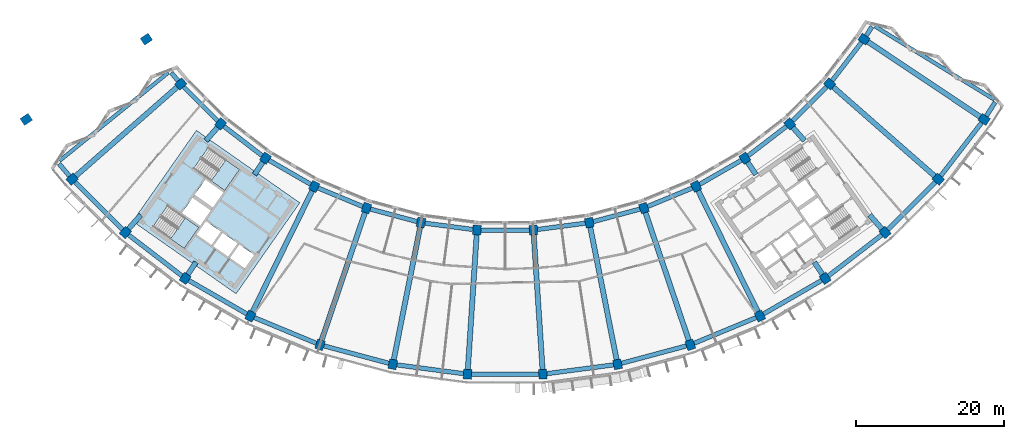
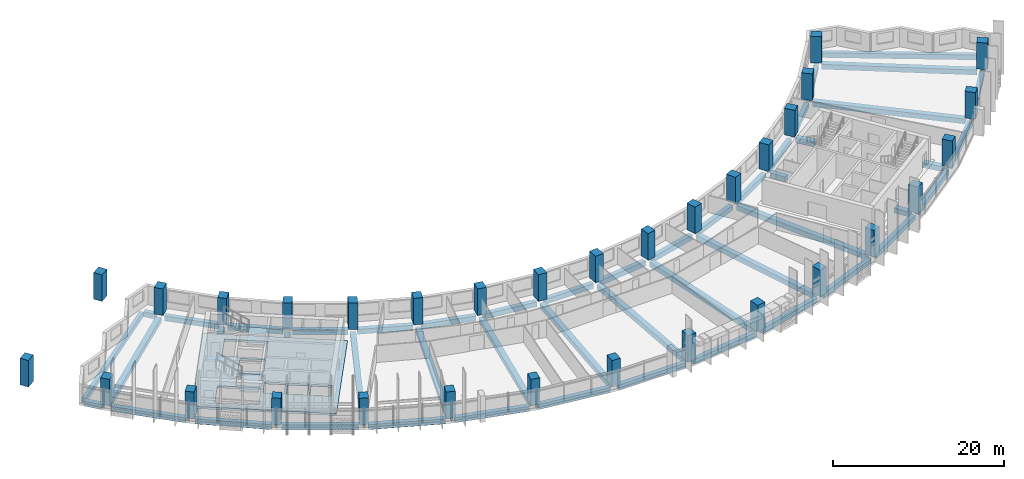
# One storey, part 1 of 27: 53 beams, 32 columns, 3 slabs, 2 elements without a shape of their own.
"""IFC4 building model written with IfcOpenShell, lengths in metres."""

from ifc_helpers import new_model, si_unit, direction, frame, origin, origin_2d, place, context, subcontext, project, spatial, polyline, rectangle, outline, extrude, material, layer, layer_set, material_profile, profile_set, type_object, element, aggregate, save


model = new_model("IFC4")

# Units and contexts
model_context = context("Model", 3, precision=1e-05, world=origin(), true_north=direction((0.0, 1.0)))
body_context = subcontext(model_context, "Body", "Model", "MODEL_VIEW")
ifc_project = project(units=[si_unit("LENGTHUNIT", "METRE"), si_unit("AREAUNIT", "SQUARE_METRE"), si_unit("VOLUMEUNIT", "CUBIC_METRE"), si_unit("PLANEANGLEUNIT", "RADIAN"), si_unit("MASSUNIT", "GRAM", prefix="KILO")], contexts=[model_context])

# Site, building, storey
site_placement = place(None, origin())
site = spatial("IfcSite", under=ifc_project, at=site_placement, CompositionType="ELEMENT")
building_placement = place(site_placement, origin())
building = spatial("IfcBuilding", under=site, at=building_placement, Name="Qamariyya Broadcast Tower", CompositionType="ELEMENT")
storey_placement = place(building_placement, frame((0.0, 0.0, 179.699951171875)))
storey = spatial("IfcBuildingStorey", under=building, at=storey_placement, Name="L42", CompositionType="ELEMENT", Elevation=179.699951171875)

# Columns
ifc_material_1 = material(Name="Concrete C60/75", Category="concrete")
ifc_material_profile_1 = material_profile(ifc_material_1, rectangle(XDim=1.10009765625, YDim=1.300048828125, at=origin_2d()))
ifc_profile_set_1 = profile_set([ifc_material_profile_1], Name="Concrete C60/75")
column_type = type_object("IfcColumnType", Name="RC column 1100 x 1300 C60/75", PredefinedType="COLUMN", material=ifc_profile_set_1)
for number, where, z_axis, x_axis, name in (
    (1, (-43.794677734375, -38.406982421875, 0.0), (0.0, 0.0, 1.0), (0.6593458151, -0.751839807479, 0.0), "Column C8 L42 B-R04"),
    (2, (-58.45556640625, -51.26416015625, 0.0), (0.0, 0.0, 1.0), (0.6593458151, -0.751839807479, 0.0), "Column C8 L42 C-R04"),
    (3, (-38.406982421875, -43.794677734375, 0.0), (0.0, 0.0, 1.0), (0.751839807479, -0.6593458151, 0.0), "Column C8 L42 B-R05"),
    (4, (-51.26416015625, -58.45556640625, 0.0), (0.0, 0.0, 1.0), (0.751839807479, -0.6593458151, 0.0), "Column C8 L42 C-R05"),
    (5, (-32.362060546875, -48.43310546875, 0.0), (0.0, 0.0, 1.0), (0.831469612303, -0.55557023302, 0.0), "Column C8 L42 B-R06"),
    (6, (-43.195556640625, -64.646728515625, 0.0), (0.0, 0.0, 1.0), (0.831469612303, -0.55557023302, 0.0), "Column C8 L42 C-R06"),
    (7, (-25.763427734375, -52.242919921875, 0.0), (0.0, 0.0, 1.0), (0.896872741533, -0.442288690219, 0.0), "Column C8 L42 B-R07"),
    (8, (-34.387939453125, -69.73193359375, 0.0), (0.0, 0.0, 1.0), (0.896872741533, -0.442288690219, 0.0), "Column C8 L42 C-R07"),
    (9, (-18.723876953125, -55.15869140625, 0.0), (0.0, 0.0, 1.0), (0.946930129495, -0.321439465303, 0.0), "Column C8 L42 B-R08"),
    (10, (-24.991943359375, -73.623779296875, 0.0), (0.0, 0.0, 1.0), (0.946930129495, -0.321439465303, 0.0), "Column C8 L42 C-R08"),
    (11, (-11.364013671875, -57.130859375, 0.0), (0.0, 0.0, 1.0), (0.980785280403, -0.195090322016, 0.0), "Column C8 L42 B-R09"),
    (12, (-15.168212890625, -76.256103515625, 0.0), (0.0, 0.0, 1.0), (0.980785280403, -0.195090322016, 0.0), "Column C8 L42 C-R09"),
    (13, (-3.809814453125, -58.125244140625, 0.0), (0.0, 0.0, 1.0), (0.997858923239, -0.06540312923, 0.0), "Column C8 L42 B-R10"),
    (14, (-5.085205078125, -77.58349609375, 0.0), (0.0, 0.0, 1.0), (0.997858923239, -0.06540312923, 0.0), "Column C8 L42 C-R10"),
    (15, (3.809814453125, -58.125244140625, 0.0), (0.0, 0.0, 1.0), (0.997858923239, 0.06540312923, 0.0), "Column C8 L42 B-R11"),
    (16, (5.085205078125, -77.58349609375, 0.0), (0.0, 0.0, 1.0), (0.997858923239, 0.06540312923, 0.0), "Column C8 L42 C-R11"),
    (17, (11.364013671875, -57.130859375, 0.0), (0.0, 0.0, 1.0), (0.980785280403, 0.195090322016, 0.0), "Column C8 L42 B-R12"),
    (18, (15.168212890625, -76.256103515625, 0.0), (0.0, 0.0, 1.0), (0.980785280403, 0.195090322016, 0.0), "Column C8 L42 C-R12"),
    (19, (18.723876953125, -55.15869140625, 0.0), (0.0, 0.0, 1.0), (0.946930129495, 0.321439465303, 0.0), "Column C8 L42 B-R13"),
    (20, (24.991943359375, -73.623779296875, 0.0), (0.0, 0.0, 1.0), (0.946930129495, 0.321439465303, 0.0), "Column C8 L42 C-R13"),
    (21, (25.763427734375, -52.242919921875, 0.0), (0.0, 0.0, 1.0), (0.896872741533, 0.442288690219, 0.0), "Column C8 L42 B-R14"),
    (22, (34.387939453125, -69.73193359375, 0.0), (0.0, 0.0, 1.0), (0.896872741533, 0.442288690219, 0.0), "Column C8 L42 C-R14"),
    (23, (32.362060546875, -48.43310546875, 0.0), (0.0, 0.0, 1.0), (0.831469612303, 0.55557023302, 0.0), "Column C8 L42 B-R15"),
    (24, (43.195556640625, -64.646728515625, 0.0), (0.0, 0.0, 1.0), (0.831469612303, 0.55557023302, 0.0), "Column C8 L42 C-R15"),
    (25, (38.406982421875, -43.794677734375, 0.0), (0.0, 0.0, 1.0), (0.751839807479, 0.6593458151, 0.0), "Column C8 L42 B-R16"),
    (26, (51.26416015625, -58.45556640625, 0.0), (0.0, 0.0, 1.0), (0.751839807479, 0.6593458151, 0.0), "Column C8 L42 C-R16"),
    (27, (43.794677734375, -38.406982421875, 0.0), (0.0, 0.0, 1.0), (0.6593458151, 0.751839807479, 0.0), "Column C8 L42 B-R17"),
    (28, (58.45556640625, -51.26416015625, 0.0), (0.0, 0.0, 1.0), (0.6593458151, 0.751839807479, 0.0), "Column C8 L42 C-R17"),
    (29, (48.43310546875, -32.362060546875, 0.0), (0.0, 0.0, 1.0), (0.55557023302, 0.831469612303, 0.0), "Column C8 L42 B-R18"),
    (30, (64.646728515625, -43.195556640625, 0.0), (0.0, 0.0, 1.0), (0.55557023302, 0.831469612303, 0.0), "Column C8 L42 C-R18"),
    (31, (-48.43310546875, -32.362060546875, 0.0), (0.0, 0.0, 1.0), (0.55557023302, -0.831469612303, 0.0), "Column C8 L42 B-R03"),
    (32, (-64.646728515625, -43.195556640625, 0.0), (0.0, 0.0, 1.0), (0.55557023302, -0.831469612303, 0.0), "Column C8 L42 C-R03"),
):
    element("IfcColumn", number, at=place(storey_placement, frame(where, z_axis=z_axis, x_axis=x_axis)), inside=storey, type_object=column_type, Name=name, PredefinedType="COLUMN", context=body_context, shape_type="SweptSolid", body=[
        extrude(rectangle(XDim=1.10009765625, YDim=1.300048828125, at=origin_2d()), origin(), (0.0, 0.0, 1.0), 3.800048828125),
    ])

# Beams
ifc_material_2 = material(Name="Concrete C40/50", Category="concrete")
ifc_material_profile_2 = material_profile(ifc_material_2, rectangle(XDim=0.60009765625, YDim=0.699951171875, at=origin_2d()))
ifc_profile_set_2 = profile_set([ifc_material_profile_2], Name="Concrete C40/50")
beam_type_1 = type_object("IfcBeamType", Name="RC edge beam 600 x 700 C40/50", PredefinedType="SPANDREL", material=ifc_profile_set_2)
for number, where, z_axis, x_axis, name in (
    (33, (-43.405029296875, -38.796630859375, -0.64990234375), (0.707106781187, -0.707106781187, 0.0), (0.707106781187, 0.707106781187, 0.0), "Edge beam B20 L42 B R04-R05"),
    (34, (-37.9697265625, -44.130126953125, -0.64990234375), (0.793343406719, -0.608774374473, 0.0), (0.608774374473, 0.793343406719, 0.0), "Edge beam B20 L42 B R05-R06"),
):
    element("IfcBeam", number, at=place(storey_placement, frame(where, z_axis=z_axis, x_axis=x_axis)), inside=storey, type_object=beam_type_1, Name=name, PredefinedType="SPANDREL", context=body_context, shape_type="SweptSolid", body=[
        extrude(rectangle(XDim=0.60009765625, YDim=0.699951171875, at=origin_2d()), origin(), (0.0, 0.0, 1.0), 6.517333984375),
    ])
beam_1_placement = place(storey_placement, frame((-31.884521484375, -48.708740234375, -0.64990234375), z_axis=(0.866019015165, -0.500011065251, 0.0), x_axis=(0.500011065251, 0.866019015165, 0.0)))
element("IfcBeam", 35, at=beam_1_placement, inside=storey, type_object=beam_type_1, Name="Edge beam B20 L42 B R06-R07", PredefinedType="SPANDREL", context=body_context, shape_type="SweptSolid", body=[
    extrude(rectangle(XDim=0.60009765625, YDim=0.699951171875, at=origin_2d()), origin(), (0.0, 0.0, 1.0), 6.516845703125),
])
for number, where, z_axis, x_axis, name in (
    (36, (-25.254150390625, -52.453857421875, -0.64990234375), (0.923883967792, -0.382672724475, 0.0), (0.382672724475, 0.923883967792, 0.0), "Edge beam B20 L42 B R07-R08"),
    (37, (-18.19140625, -55.30126953125, -0.64990234375), (0.965923971679, -0.258825966504, 0.0), (0.258825966504, 0.965923971679, 0.0), "Edge beam B20 L42 B R08-R09"),
    (38, (-10.817626953125, -57.20263671875, -0.64990234375), (0.991446388377, -0.130514592953, 0.0), (0.130514592953, 0.991446388377, 0.0), "Edge beam B20 L42 B R09-R10"),
    (39, (-3.258544921875, -58.125244140625, -0.64990234375), (1.0, 0.0, 0.0), (0.0, 1.0, 0.0), "Edge beam B20 L42 B R10-R11"),
    (40, (4.356201171875, -58.05322265625, -0.64990234375), (0.991446388377, 0.130514592953, 0.0), (-0.130514592953, 0.991446388377, 0.0), "Edge beam B20 L42 B R11-R12"),
    (41, (11.896484375, -56.988037109375, -0.64990234375), (0.965923971679, 0.258825966504, 0.0), (-0.258825966504, 0.965923971679, 0.0), "Edge beam B20 L42 B R12-R13"),
    (42, (19.233154296875, -54.94775390625, -0.64990234375), (0.923883967792, 0.382672724475, 0.0), (-0.382672724475, 0.923883967792, 0.0), "Edge beam B20 L42 B R13-R14"),
):
    element("IfcBeam", number, at=place(storey_placement, frame(where, z_axis=z_axis, x_axis=x_axis)), inside=storey, type_object=beam_type_1, Name=name, PredefinedType="SPANDREL", context=body_context, shape_type="SweptSolid", body=[
        extrude(rectangle(XDim=0.60009765625, YDim=0.699951171875, at=origin_2d()), origin(), (0.0, 0.0, 1.0), 6.51708984375),
    ])
beam_2_placement = place(storey_placement, frame((26.24072265625, -51.96728515625, -0.64990234375), z_axis=(0.866019015165, 0.500011065251, 0.0), x_axis=(-0.500011065251, 0.866019015165, 0.0)))
element("IfcBeam", 43, at=beam_2_placement, inside=storey, type_object=beam_type_1, Name="Edge beam B20 L42 B R14-R15", PredefinedType="SPANDREL", context=body_context, shape_type="SweptSolid", body=[
    extrude(rectangle(XDim=0.60009765625, YDim=0.699951171875, at=origin_2d()), origin(), (0.0, 0.0, 1.0), 6.516845703125),
])
for number, where, z_axis, x_axis, name in (
    (44, (32.79931640625, -48.09765625, -0.64990234375), (0.793343406719, 0.608774374473, 0.0), (-0.608774374473, 0.793343406719, 0.0), "Edge beam B20 L42 B R15-R16"),
    (45, (38.796630859375, -43.405029296875, -0.64990234375), (0.707106781187, 0.707106781187, 0.0), (-0.707106781187, 0.707106781187, 0.0), "Edge beam B20 L42 B R16-R17"),
    (46, (44.130126953125, -37.9697265625, -0.64990234375), (0.608774374473, 0.793343406719, 0.0), (-0.793343406719, 0.608774374473, 0.0), "Edge beam B20 L42 B R17-R18"),
):
    element("IfcBeam", number, at=place(storey_placement, frame(where, z_axis=z_axis, x_axis=x_axis)), inside=storey, type_object=beam_type_1, Name=name, PredefinedType="SPANDREL", context=body_context, shape_type="SweptSolid", body=[
        extrude(rectangle(XDim=0.60009765625, YDim=0.699951171875, at=origin_2d()), origin(), (0.0, 0.0, 1.0), 6.517333984375),
    ])
beam_3_placement = place(storey_placement, frame((-58.06591796875, -51.65380859375, -0.64990234375), z_axis=(0.707106781187, -0.707106781187, 0.0), x_axis=(0.707106781187, 0.707106781187, 0.0)))
element("IfcBeam", 47, at=beam_3_placement, inside=storey, type_object=beam_type_1, Name="Edge beam B20 L42 C R04-R05", PredefinedType="SPANDREL", context=body_context, shape_type="SweptSolid", body=[
    extrude(rectangle(XDim=0.60009765625, YDim=0.699951171875, at=origin_2d()), origin(), (0.0, 0.0, 1.0), 9.068115234375),
])
for number, where, z_axis, x_axis, name in (
    (48, (-50.826904296875, -58.791015625, -0.64990234375), (0.793351056372, -0.608764405458, 0.0), (0.608764405458, 0.793351056372, 0.0), "Edge beam B20 L42 C R05-R06"),
    (49, (-42.71826171875, -64.92236328125, -0.64990234375), (0.866025972227, -0.499999015427, 0.0), (0.499999015427, 0.866025972227, 0.0), "Edge beam B20 L42 C R06-R07"),
):
    element("IfcBeam", number, at=place(storey_placement, frame(where, z_axis=z_axis, x_axis=x_axis)), inside=storey, type_object=beam_type_1, Name=name, PredefinedType="SPANDREL", context=body_context, shape_type="SweptSolid", body=[
        extrude(rectangle(XDim=0.60009765625, YDim=0.699951171875, at=origin_2d()), origin(), (0.0, 0.0, 1.0), 9.06787109375),
    ])
beam_4_placement = place(storey_placement, frame((-33.878662109375, -69.94287109375, -0.64990234375), z_axis=(0.923882618409, -0.382675982265, 0.0), x_axis=(0.382675982265, 0.923882618409, 0.0)))
element("IfcBeam", 50, at=beam_4_placement, inside=storey, type_object=beam_type_1, Name="Edge beam B20 L42 C R07-R08", PredefinedType="SPANDREL", context=body_context, shape_type="SweptSolid", body=[
    extrude(rectangle(XDim=0.60009765625, YDim=0.699951171875, at=origin_2d()), origin(), (0.0, 0.0, 1.0), 9.067626953125),
])
for number, where, z_axis, x_axis, name in (
    (51, (-24.45947265625, -73.766357421875, -0.64990234375), (0.965925457615, -0.258820421007, 0.0), (0.258820421007, 0.965925457615, 0.0), "Edge beam B20 L42 C R08-R09"),
    (52, (-14.621826171875, -76.327880859375, -0.64990234375), (0.991444762322, -0.130526944594, 0.0), (0.130526944594, 0.991444762322, 0.0), "Edge beam B20 L42 C R09-R10"),
    (53, (-4.533935546875, -77.58349609375, -0.64990234375), (1.0, 0.0, 0.0), (0.0, 1.0, 0.0), "Edge beam B20 L42 C R10-R11"),
    (54, (5.631591796875, -77.511474609375, -0.64990234375), (0.991444762322, 0.130526944594, 0.0), (-0.130526944594, 0.991444762322, 0.0), "Edge beam B20 L42 C R11-R12"),
    (55, (15.70068359375, -76.11328125, -0.64990234375), (0.965925457615, 0.258820421007, 0.0), (-0.258820421007, 0.965925457615, 0.0), "Edge beam B20 L42 C R12-R13"),
):
    element("IfcBeam", number, at=place(storey_placement, frame(where, z_axis=z_axis, x_axis=x_axis)), inside=storey, type_object=beam_type_1, Name=name, PredefinedType="SPANDREL", context=body_context, shape_type="SweptSolid", body=[
        extrude(rectangle(XDim=0.60009765625, YDim=0.699951171875, at=origin_2d()), origin(), (0.0, 0.0, 1.0), 9.06787109375),
    ])
beam_5_placement = place(storey_placement, frame((25.501220703125, -73.412841796875, -0.64990234375), z_axis=(0.923882618409, 0.382675982265, 0.0), x_axis=(-0.382675982265, 0.923882618409, 0.0)))
element("IfcBeam", 56, at=beam_5_placement, inside=storey, type_object=beam_type_1, Name="Edge beam B20 L42 C R13-R14", PredefinedType="SPANDREL", context=body_context, shape_type="SweptSolid", body=[
    extrude(rectangle(XDim=0.60009765625, YDim=0.699951171875, at=origin_2d()), origin(), (0.0, 0.0, 1.0), 9.067626953125),
])
for number, where, z_axis, x_axis, name in (
    (57, (34.865234375, -69.456298828125, -0.64990234375), (0.866025972227, 0.499999015427, 0.0), (-0.499999015427, 0.866025972227, 0.0), "Edge beam B20 L42 C R14-R15"),
    (58, (43.6328125, -64.311279296875, -0.64990234375), (0.793351056372, 0.608764405458, 0.0), (-0.608764405458, 0.793351056372, 0.0), "Edge beam B20 L42 C R15-R16"),
):
    element("IfcBeam", number, at=place(storey_placement, frame(where, z_axis=z_axis, x_axis=x_axis)), inside=storey, type_object=beam_type_1, Name=name, PredefinedType="SPANDREL", context=body_context, shape_type="SweptSolid", body=[
        extrude(rectangle(XDim=0.60009765625, YDim=0.699951171875, at=origin_2d()), origin(), (0.0, 0.0, 1.0), 9.06787109375),
    ])
beam_6_placement = place(storey_placement, frame((51.65380859375, -58.06591796875, -0.64990234375), z_axis=(0.707106781187, 0.707106781187, 0.0), x_axis=(-0.707106781187, 0.707106781187, 0.0)))
element("IfcBeam", 59, at=beam_6_placement, inside=storey, type_object=beam_type_1, Name="Edge beam B20 L42 C R16-R17", PredefinedType="SPANDREL", context=body_context, shape_type="SweptSolid", body=[
    extrude(rectangle(XDim=0.60009765625, YDim=0.699951171875, at=origin_2d()), origin(), (0.0, 0.0, 1.0), 9.068115234375),
])
beam_7_placement = place(storey_placement, frame((58.791015625, -50.826904296875, -0.64990234375), z_axis=(0.608764405458, 0.793351056372, 0.0), x_axis=(-0.793351056372, 0.608764405458, 0.0)))
element("IfcBeam", 60, at=beam_7_placement, inside=storey, type_object=beam_type_1, Name="Edge beam B20 L42 C R17-R18", PredefinedType="SPANDREL", context=body_context, shape_type="SweptSolid", body=[
    extrude(rectangle(XDim=0.60009765625, YDim=0.699951171875, at=origin_2d()), origin(), (0.0, 0.0, 1.0), 9.06787109375),
])
ifc_material_profile_3 = material_profile(ifc_material_2, rectangle(XDim=0.60009765625, YDim=0.699951171875, at=origin_2d()))
ifc_profile_set_3 = profile_set([ifc_material_profile_3], Name="Concrete C40/50")
beam_type_2 = type_object("IfcBeamType", Name="RC horn beam 600 x 700 C40/50", PredefinedType="BEAM", material=ifc_profile_set_3)
beam_8_placement = place(storey_placement, frame((-44.1494140625, -37.986328125, -0.64990234375), z_axis=(-0.644701612373, 0.764434320922, 0.0), x_axis=(-0.764434320922, -0.644701612373, 0.0)))
element("IfcBeam", 61, at=beam_8_placement, inside=storey, type_object=beam_type_2, Name="Horn beam B19 L42 W B-R04", PredefinedType="BEAM", context=body_context, shape_type="SweptSolid", body=[
    extrude(rectangle(XDim=0.60009765625, YDim=0.699951171875, at=origin_2d()), origin(), (0.0, 0.0, 1.0), 1.44775390625),
])
beam_9_placement = place(storey_placement, frame((-58.810302734375, -50.843505859375, -0.64990234375), z_axis=(-0.644757489459, 0.764387192322, 0.0), x_axis=(-0.764387192322, -0.644757489459, 0.0)))
element("IfcBeam", 62, at=beam_9_placement, inside=storey, type_object=beam_type_2, Name="Horn beam B19 L42 W C-R04", PredefinedType="BEAM", context=body_context, shape_type="SweptSolid", body=[
    extrude(rectangle(XDim=0.60009765625, YDim=0.699951171875, at=origin_2d()), origin(), (0.0, 0.0, 1.0), 2.199951171875),
])
beam_10_placement = place(storey_placement, frame((48.729736328125, -31.898681640625, -0.64990234375), z_axis=(0.539469959298, 0.842004847382, 0.0), x_axis=(-0.842004847382, 0.539469959298, 0.0)))
element("IfcBeam", 63, at=beam_10_placement, inside=storey, type_object=beam_type_2, Name="Horn beam B19 L42 E B-R18", PredefinedType="BEAM", context=body_context, shape_type="SweptSolid", body=[
    extrude(rectangle(XDim=0.60009765625, YDim=0.699951171875, at=origin_2d()), origin(), (0.0, 0.0, 1.0), 1.44775390625),
])
beam_11_placement = place(storey_placement, frame((64.943603515625, -42.732421875, -0.64990234375), z_axis=(0.539422073214, 0.842035525931, 0.0), x_axis=(-0.842035525931, 0.539422073214, 0.0)))
element("IfcBeam", 64, at=beam_11_placement, inside=storey, type_object=beam_type_2, Name="Horn beam B19 L42 E C-R18", PredefinedType="BEAM", context=body_context, shape_type="SweptSolid", body=[
    extrude(rectangle(XDim=0.60009765625, YDim=0.699951171875, at=origin_2d()), origin(), (0.0, 0.0, 1.0), 2.199951171875),
])
ifc_material_profile_4 = material_profile(ifc_material_2, rectangle(XDim=0.5, YDim=0.699951171875, at=origin_2d()))
ifc_profile_set_4 = profile_set([ifc_material_profile_4], Name="Concrete C40/50")
beam_type_3 = type_object("IfcBeamType", Name="RC horn cap beam 500 x 700 C40/50", PredefinedType="BEAM", material=ifc_profile_set_4)
for number, where, z_axis, x_axis, name in (
    (65, (-45.476806640625, -36.877685546875, -0.64990234375), (-0.776719368779, -0.629846824366, 0.0), (0.629846824366, -0.776719368779, 0.0), "Horn cap beam B21 L42 W B-C"),
    (66, (49.9013671875, -30.626220703125, -0.64990234375), (0.852283072171, -0.523080839729, 0.0), (0.523080839729, 0.852283072171, 0.0), "Horn cap beam B21 L42 E B-C"),
):
    element("IfcBeam", number, at=place(storey_placement, frame(where, z_axis=z_axis, x_axis=x_axis)), inside=storey, type_object=beam_type_3, Name=name, PredefinedType="BEAM", context=body_context, shape_type="SweptSolid", body=[
        extrude(rectangle(XDim=0.5, YDim=0.699951171875, at=origin_2d()), origin(), (0.0, 0.0, 1.0), 18.89990234375),
    ])
ifc_material_profile_5 = material_profile(ifc_material_2, rectangle(XDim=0.699951171875, YDim=0.699951171875, at=origin_2d()))
ifc_profile_set_5 = profile_set([ifc_material_profile_5], Name="Concrete C40/50")
beam_type_4 = type_object("IfcBeamType", Name="RC radial beam 700 x 700 C40/50", PredefinedType="BEAM", material=ifc_profile_set_5)
beam_12_placement = place(storey_placement, frame((-44.283447265625, -38.83544921875, -0.64990234375), z_axis=(-0.751839141307, -0.659346574723, 0.0), x_axis=(0.659346574723, -0.751839141307, 0.0)))
element("IfcBeam", 67, at=beam_12_placement, inside=storey, type_object=beam_type_4, Name="Radial beam B18 L42 R04 B-C", PredefinedType="BEAM", context=body_context, shape_type="SweptSolid", body=[
    extrude(rectangle(XDim=0.699951171875, YDim=0.699951171875, at=origin_2d()), origin(), (0.0, 0.0, 1.0), 18.199951171875),
])
beam_13_placement = place(storey_placement, frame((-38.83544921875, -44.283447265625, -0.64990234375), z_axis=(-0.659381501846, -0.751808509544, 0.0), x_axis=(0.751808509544, -0.659381501846, 0.0)))
element("IfcBeam", 68, at=beam_13_placement, inside=storey, type_object=beam_type_4, Name="Radial beam B18 L42 R05 B-C", PredefinedType="BEAM", context=body_context, shape_type="SweptSolid", body=[
    extrude(rectangle(XDim=0.699951171875, YDim=0.699951171875, at=origin_2d()), origin(), (0.0, 0.0, 1.0), 2.364013671875),
])
beam_14_placement = place(storey_placement, frame((-49.1943359375, -56.095458984375, -0.64990234375), z_axis=(-0.659344451764, -0.75184100309, 0.0), x_axis=(0.75184100309, -0.659344451764, 0.0)))
element("IfcBeam", 69, at=beam_14_placement, inside=storey, type_object=beam_type_4, Name="Radial beam B18 L42 R05 B-C", PredefinedType="BEAM", context=body_context, shape_type="SweptSolid", body=[
    extrude(rectangle(XDim=0.699951171875, YDim=0.699951171875, at=origin_2d()), origin(), (0.0, 0.0, 1.0), 2.489013671875),
])
beam_15_placement = place(storey_placement, frame((-32.72314453125, -48.9736328125, -0.64990234375), z_axis=(-0.555594913414, -0.83145312086, 0.0), x_axis=(0.83145312086, -0.555594913414, 0.0)))
element("IfcBeam", 70, at=beam_15_placement, inside=storey, type_object=beam_type_4, Name="Radial beam B18 L42 R06 B-C", PredefinedType="BEAM", context=body_context, shape_type="SweptSolid", body=[
    extrude(rectangle(XDim=0.699951171875, YDim=0.699951171875, at=origin_2d()), origin(), (0.0, 0.0, 1.0), 2.014404296875),
])
beam_16_placement = place(storey_placement, frame((-41.733154296875, -62.458251953125, -0.64990234375), z_axis=(-0.555637861027, -0.831424420734, 0.0), x_axis=(0.831424420734, -0.555637861027, 0.0)))
element("IfcBeam", 71, at=beam_16_placement, inside=storey, type_object=beam_type_4, Name="Radial beam B18 L42 R06 B-C", PredefinedType="BEAM", context=body_context, shape_type="SweptSolid", body=[
    extrude(rectangle(XDim=0.699951171875, YDim=0.699951171875, at=origin_2d()), origin(), (0.0, 0.0, 1.0), 1.982177734375),
])
beam_17_placement = place(storey_placement, frame((-26.05078125, -52.82568359375, -0.64990234375), z_axis=(-0.44228110273, -0.896876483228, 0.0), x_axis=(0.896876483228, -0.44228110273, 0.0)))
element("IfcBeam", 72, at=beam_17_placement, inside=storey, type_object=beam_type_4, Name="Radial beam B18 L42 R07 B-C", PredefinedType="BEAM", context=body_context, shape_type="SweptSolid", body=[
    extrude(rectangle(XDim=0.699951171875, YDim=0.699951171875, at=origin_2d()), origin(), (0.0, 0.0, 1.0), 18.2001953125),
])
beam_18_placement = place(storey_placement, frame((-18.932861328125, -55.774169921875, -0.64990234375), z_axis=(-0.321434466477, -0.946931826353, 0.0), x_axis=(0.946931826353, -0.321434466477, 0.0)))
element("IfcBeam", 73, at=beam_18_placement, inside=storey, type_object=beam_type_4, Name="Radial beam B18 L42 R08 B-C", PredefinedType="BEAM", context=body_context, shape_type="SweptSolid", body=[
    extrude(rectangle(XDim=0.699951171875, YDim=0.699951171875, at=origin_2d()), origin(), (0.0, 0.0, 1.0), 18.199951171875),
])
beam_19_placement = place(storey_placement, frame((-11.49072265625, -57.768310546875, -0.64990234375), z_axis=(-0.195097061093, -0.980783939893, 0.0), x_axis=(0.980783939893, -0.195097061093, 0.0)))
element("IfcBeam", 74, at=beam_19_placement, inside=storey, type_object=beam_type_4, Name="Radial beam B18 L42 R09 B-C", PredefinedType="BEAM", context=body_context, shape_type="SweptSolid", body=[
    extrude(rectangle(XDim=0.699951171875, YDim=0.699951171875, at=origin_2d()), origin(), (0.0, 0.0, 1.0), 18.2001953125),
])
for number, where, z_axis, x_axis, name in (
    (75, (-3.852294921875, -58.77392578125, -0.64990234375), (-0.065395361188, -0.997859432353, 0.0), (0.997859432353, -0.065395361188, 0.0), "Radial beam B18 L42 R10 B-C"),
    (76, (3.852294921875, -58.77392578125, -0.64990234375), (0.065395361188, -0.997859432353, 0.0), (0.997859432353, 0.065395361188, 0.0), "Radial beam B18 L42 R11 B-C"),
):
    element("IfcBeam", number, at=place(storey_placement, frame(where, z_axis=z_axis, x_axis=x_axis)), inside=storey, type_object=beam_type_4, Name=name, PredefinedType="BEAM", context=body_context, shape_type="SweptSolid", body=[
        extrude(rectangle(XDim=0.699951171875, YDim=0.699951171875, at=origin_2d()), origin(), (0.0, 0.0, 1.0), 18.199951171875),
    ])
beam_20_placement = place(storey_placement, frame((11.49072265625, -57.768310546875, -0.64990234375), z_axis=(0.195097061093, -0.980783939893, 0.0), x_axis=(0.980783939893, 0.195097061093, 0.0)))
element("IfcBeam", 77, at=beam_20_placement, inside=storey, type_object=beam_type_4, Name="Radial beam B18 L42 R12 B-C", PredefinedType="BEAM", context=body_context, shape_type="SweptSolid", body=[
    extrude(rectangle(XDim=0.699951171875, YDim=0.699951171875, at=origin_2d()), origin(), (0.0, 0.0, 1.0), 18.2001953125),
])
beam_21_placement = place(storey_placement, frame((18.932861328125, -55.774169921875, -0.64990234375), z_axis=(0.321434466477, -0.946931826353, 0.0), x_axis=(0.946931826353, 0.321434466477, 0.0)))
element("IfcBeam", 78, at=beam_21_placement, inside=storey, type_object=beam_type_4, Name="Radial beam B18 L42 R13 B-C", PredefinedType="BEAM", context=body_context, shape_type="SweptSolid", body=[
    extrude(rectangle(XDim=0.699951171875, YDim=0.699951171875, at=origin_2d()), origin(), (0.0, 0.0, 1.0), 18.199951171875),
])
beam_22_placement = place(storey_placement, frame((26.05078125, -52.82568359375, -0.64990234375), z_axis=(0.44228110273, -0.896876483228, 0.0), x_axis=(0.896876483228, 0.44228110273, 0.0)))
element("IfcBeam", 79, at=beam_22_placement, inside=storey, type_object=beam_type_4, Name="Radial beam B18 L42 R14 B-C", PredefinedType="BEAM", context=body_context, shape_type="SweptSolid", body=[
    extrude(rectangle(XDim=0.699951171875, YDim=0.699951171875, at=origin_2d()), origin(), (0.0, 0.0, 1.0), 18.2001953125),
])
beam_23_placement = place(storey_placement, frame((32.72314453125, -48.9736328125, -0.64990234375), z_axis=(0.555594913414, -0.83145312086, 0.0), x_axis=(0.83145312086, 0.555594913414, 0.0)))
element("IfcBeam", 80, at=beam_23_placement, inside=storey, type_object=beam_type_4, Name="Radial beam B18 L42 R15 B-C", PredefinedType="BEAM", context=body_context, shape_type="SweptSolid", body=[
    extrude(rectangle(XDim=0.699951171875, YDim=0.699951171875, at=origin_2d()), origin(), (0.0, 0.0, 1.0), 2.014404296875),
])
beam_24_placement = place(storey_placement, frame((41.733154296875, -62.458251953125, -0.64990234375), z_axis=(0.555637861027, -0.831424420734, 0.0), x_axis=(0.831424420734, 0.555637861027, 0.0)))
element("IfcBeam", 81, at=beam_24_placement, inside=storey, type_object=beam_type_4, Name="Radial beam B18 L42 R15 B-C", PredefinedType="BEAM", context=body_context, shape_type="SweptSolid", body=[
    extrude(rectangle(XDim=0.699951171875, YDim=0.699951171875, at=origin_2d()), origin(), (0.0, 0.0, 1.0), 1.982177734375),
])
beam_25_placement = place(storey_placement, frame((38.83544921875, -44.283447265625, -0.64990234375), z_axis=(0.659381501846, -0.751808509544, 0.0), x_axis=(0.751808509544, 0.659381501846, 0.0)))
element("IfcBeam", 82, at=beam_25_placement, inside=storey, type_object=beam_type_4, Name="Radial beam B18 L42 R16 B-C", PredefinedType="BEAM", context=body_context, shape_type="SweptSolid", body=[
    extrude(rectangle(XDim=0.699951171875, YDim=0.699951171875, at=origin_2d()), origin(), (0.0, 0.0, 1.0), 2.364013671875),
])
beam_26_placement = place(storey_placement, frame((49.1943359375, -56.095458984375, -0.64990234375), z_axis=(0.659344451764, -0.75184100309, 0.0), x_axis=(0.75184100309, 0.659344451764, 0.0)))
element("IfcBeam", 83, at=beam_26_placement, inside=storey, type_object=beam_type_4, Name="Radial beam B18 L42 R16 B-C", PredefinedType="BEAM", context=body_context, shape_type="SweptSolid", body=[
    extrude(rectangle(XDim=0.699951171875, YDim=0.699951171875, at=origin_2d()), origin(), (0.0, 0.0, 1.0), 2.489013671875),
])
beam_27_placement = place(storey_placement, frame((44.283447265625, -38.83544921875, -0.64990234375), z_axis=(0.751839141307, -0.659346574723, 0.0), x_axis=(0.659346574723, 0.751839141307, 0.0)))
element("IfcBeam", 84, at=beam_27_placement, inside=storey, type_object=beam_type_4, Name="Radial beam B18 L42 R17 B-C", PredefinedType="BEAM", context=body_context, shape_type="SweptSolid", body=[
    extrude(rectangle(XDim=0.699951171875, YDim=0.699951171875, at=origin_2d()), origin(), (0.0, 0.0, 1.0), 18.199951171875),
])
beam_28_placement = place(storey_placement, frame((48.9736328125, -32.72314453125, -0.64990234375), z_axis=(0.831467855631, -0.555572862056, 0.0), x_axis=(0.555572862056, 0.831467855631, 0.0)))
element("IfcBeam", 85, at=beam_28_placement, inside=storey, type_object=beam_type_4, Name="Radial beam B18 L42 R18 B-C", PredefinedType="BEAM", context=body_context, shape_type="SweptSolid", body=[
    extrude(rectangle(XDim=0.699951171875, YDim=0.699951171875, at=origin_2d()), origin(), (0.0, 0.0, 1.0), 18.19970703125),
])

# Slab
ifc_layer_1 = layer(ifc_material_2, 0.300048828125)
ifc_layer_set_1 = layer_set([ifc_layer_1], Name="Core floor slab 300 mm Concrete C40/50")
slab_type_1 = type_object("IfcSlabType", Name="Core floor slab 300 mm Concrete C40/50", PredefinedType="FLOOR", material=ifc_layer_set_1)
slab_1_placement = place(storey_placement, frame((0.0, 0.0, -0.300048828125)))
element("IfcSlab", 86, at=slab_1_placement, inside=storey, type_object=slab_type_1, Name="k-W-L42-slab", PredefinedType="FLOOR", context=body_context, shape_type="SweptSolid", body=[
    extrude(outline(polyline([(-50.286376953125, -56.95751953125), (-36.32373046875, -66.734375), (-27.719970703125, -54.447021484375), (-41.6826171875, -44.67041015625), (-50.286376953125, -56.95751953125)]), holes=[polyline([(-33.87353515625, -61.49169921875), (-35.88037109375, -60.08642578125), (-37.142333984375, -61.888427734375), (-35.13525390625, -63.293701171875), (-33.87353515625, -61.49169921875)]), polyline([(-36.126220703125, -59.914306640625), (-38.133056640625, -58.509033203125), (-39.394775390625, -60.311279296875), (-37.387939453125, -61.716552734375), (-36.126220703125, -59.914306640625)]), polyline([(-38.378662109375, -58.3369140625), (-40.3857421875, -56.931640625), (-41.6474609375, -58.73388671875), (-39.640625, -60.13916015625), (-38.378662109375, -58.3369140625)]), polyline([(-39.742431640625, -55.489990234375), (-42.199951171875, -53.769287109375), (-43.6337890625, -55.817138671875), (-41.17626953125, -57.537841796875), (-39.742431640625, -55.489990234375)]), polyline([(-39.45556640625, -55.080322265625), (-41.9130859375, -53.359619140625), (-40.47900390625, -51.311767578125), (-38.021728515625, -53.032470703125), (-39.45556640625, -55.080322265625)]), polyline([(-42.06103515625, -49.837890625), (-37.849609375, -52.78662109375), (-35.870849609375, -49.960693359375), (-40.082275390625, -47.01171875), (-42.06103515625, -49.837890625)]), polyline([(-47.538818359375, -57.66064453125), (-43.3271484375, -60.609619140625), (-41.348388671875, -57.783447265625), (-45.559814453125, -54.834716796875), (-47.538818359375, -57.66064453125)])]), origin(), (0.0, 0.0, 1.0), 0.300048828125),
])

# Stair, slab
ifc_material_3 = material(Name="Concrete C50/60", Category="concrete")
stair_type = type_object("IfcStairType", Name="Exit stair 22 risers of 173 mm", PredefinedType="HALF_TURN_STAIR", material=ifc_material_3)
stair_1_placement = place(storey_placement, origin())
stair_1 = element("IfcStair", 87, at=stair_1_placement, inside=storey, type_object=stair_type, Name="L42 Stair W2", PredefinedType="HALF_TURN_STAIR")
ifc_layer_2 = layer(ifc_material_3, 0.199951171875)
ifc_layer_set_2 = layer_set([ifc_layer_2], Name="Stair landing")
slab_type_2 = type_object("IfcSlabType", Name="Stair landing", PredefinedType="LANDING", material=ifc_layer_set_2)
slab_2_placement = place(storey_placement, frame((0.0, 0.0, 1.699951171875)))
slab_2 = element("IfcSlab", 88, at=slab_2_placement, type_object=slab_type_2, Name="ST-W2 landing 1", PredefinedType="LANDING", context=body_context, shape_type="SweptSolid", body=[
    extrude(outline(polyline([(-39.692138671875, -51.49658203125), (-37.849609375, -52.78662109375), (-35.870849609375, -49.960693359375), (-37.71337890625, -48.67041015625), (-39.692138671875, -51.49658203125)])), origin(), (0.0, 0.0, 1.0), 0.2001953125),
])
aggregate(stair_1, [slab_2])

stair_2_placement = place(storey_placement, origin())
stair_2 = element("IfcStair", 89, at=stair_2_placement, inside=storey, type_object=stair_type, Name="L42 Stair W1", PredefinedType="HALF_TURN_STAIR")
slab_3_placement = place(storey_placement, frame((0.0, 0.0, 1.699951171875)))
slab_3 = element("IfcSlab", 90, at=slab_3_placement, type_object=slab_type_2, Name="ST-W1 landing 1", PredefinedType="LANDING", context=body_context, shape_type="SweptSolid", body=[
    extrude(outline(polyline([(-45.169677734375, -59.319580078125), (-43.3271484375, -60.609619140625), (-41.348388671875, -57.783447265625), (-43.19091796875, -56.493408203125), (-45.169677734375, -59.319580078125)])), origin(), (0.0, 0.0, 1.0), 0.2001953125),
])
aggregate(stair_2, [slab_3])

save(model, "model.ifc")
